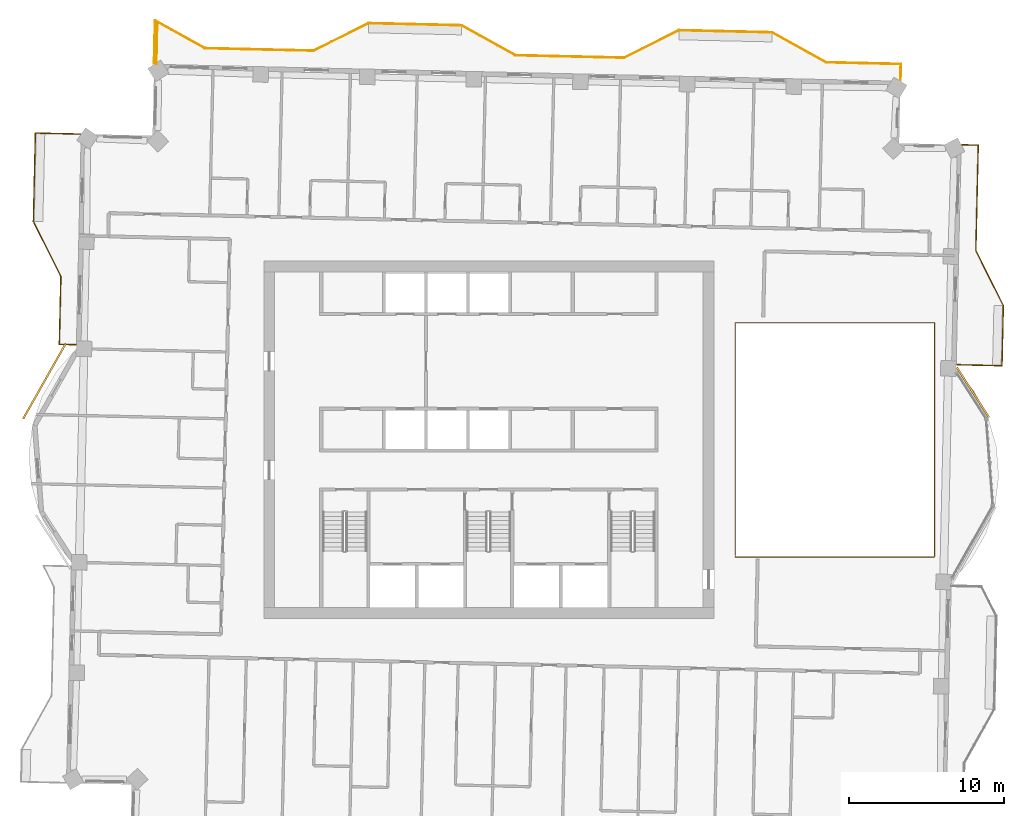
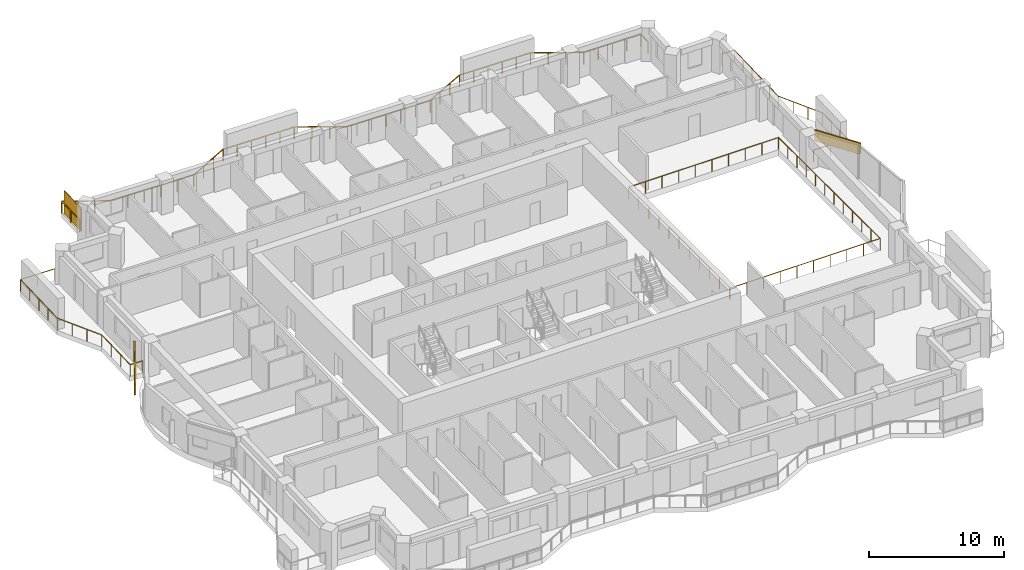
# One storey, part 17 of 17: 4 railings, 2 coverings, 1 shading device.
"""IFC4 building model written with IfcOpenShell, lengths in metres."""

from ifc_helpers import new_model, si_unit, direction, frame, frame_2d, origin, origin_2d, place, context, subcontext, project, spatial, rectangle, extrude, material, layer, layer_set, type_object, element, save


model = new_model("IFC4")

# Units and contexts
model_context = context("Model", 3, precision=1e-05, world=origin(), true_north=direction((0.0, 1.0)))
body_context = subcontext(model_context, "Body", "Model", "MODEL_VIEW")
ifc_project = project(units=[si_unit("LENGTHUNIT", "METRE"), si_unit("AREAUNIT", "SQUARE_METRE"), si_unit("VOLUMEUNIT", "CUBIC_METRE"), si_unit("PLANEANGLEUNIT", "RADIAN"), si_unit("MASSUNIT", "GRAM", prefix="KILO")], contexts=[model_context])

# Site, building, storey
site_placement = place(None, origin())
site = spatial("IfcSite", under=ifc_project, at=site_placement, CompositionType="ELEMENT")
building_placement = place(site_placement, origin())
building = spatial("IfcBuilding", under=site, at=building_placement, Name="Mangrove Gate Tower", CompositionType="ELEMENT")
storey_placement = place(building_placement, frame((0.0, 0.0, 271.699951171875)))
storey = spatial("IfcBuildingStorey", under=building, at=storey_placement, Name="L69", CompositionType="ELEMENT", Elevation=271.699951171875)

# Railings
ifc_material_1 = material(Name="Stainless steel grade 316 with laminated glass infill", Category="steel")
railing_type = type_object("IfcRailingType", Name="Balcony guard 1100", PredefinedType="GUARDRAIL", material=ifc_material_1)
railing_1_placement = place(storey_placement, frame((30.1298828125, 4.830078125, 0.0)))
element("IfcRailing", 1, at=railing_1_placement, inside=storey, type_object=railing_type, Name="GUARD L69 E2", PredefinedType="GUARDRAIL", context=body_context, shape_type="SweptSolid", body=[
    extrude(rectangle(XDim=0.048095703125, YDim=0.048095703125, at=origin_2d()), frame((0.0, 0.0, 1.076171875), z_axis=(0.999741662318, -0.022729026048, 0.0), x_axis=(0.022729026048, 0.999741662318, 0.0)), (0.0, 0.0, 1.0), 2.910888671875),
    extrude(rectangle(XDim=0.048095703125, YDim=0.048095703125, at=origin_2d()), frame((2.91015625, -0.066162109375, 1.076171875), z_axis=(0.022435098042, 0.999748301512, 0.0), x_axis=(-0.999748301512, 0.022435098042, 0.0)), (0.0, 0.0, 1.0), 3.8740234375),
    extrude(rectangle(XDim=0.048095703125, YDim=0.048095703125, at=origin_2d()), frame((2.9970703125, 3.806884765625, 1.076171875), z_axis=(-0.447016280881, 0.894525821107, 0.0), x_axis=(-0.894525821107, -0.447016280881, 0.0)), (0.0, 0.0, 1.0), 3.959716796875),
    extrude(rectangle(XDim=0.048095703125, YDim=0.048095703125, at=origin_2d()), frame((1.22705078125, 7.348876953125, 1.076171875), z_axis=(0.022798884737, 0.999740071646, 0.0), x_axis=(-0.999740071646, 0.022798884737, 0.0)), (0.0, 0.0, 1.0), 6.7998046875),
    extrude(rectangle(XDim=0.048095703125, YDim=0.048095703125, at=origin_2d()), frame((1.382080078125, 14.14697265625, 1.076171875), z_axis=(-0.999745389313, 0.022564497502, 0.0), x_axis=(-0.022564497502, -0.999745389313, 0.0)), (0.0, 0.0, 1.0), 1.060302734375),
    extrude(rectangle(XDim=0.0419921875, YDim=0.0419921875, at=origin_2d()), origin(), (0.0, 0.0, 1.0), 1.052001953125),
    extrude(rectangle(XDim=0.0419921875, YDim=0.0419921875, at=origin_2d()), frame((1.455078125, -0.033203125, 0.0)), (0.0, 0.0, 1.0), 1.052001953125),
    extrude(rectangle(XDim=0.0419921875, YDim=0.0419921875, at=origin_2d()), frame((2.91015625, -0.066162109375, 0.0)), (0.0, 0.0, 1.0), 1.052001953125),
    extrude(rectangle(XDim=0.0419921875, YDim=0.0419921875, at=origin_2d()), frame((2.939208984375, 1.224853515625, 0.0)), (0.0, 0.0, 1.0), 1.052001953125),
    extrude(rectangle(XDim=0.0419921875, YDim=0.0419921875, at=origin_2d()), frame((2.968017578125, 2.515869140625, 0.0)), (0.0, 0.0, 1.0), 1.052001953125),
    extrude(rectangle(XDim=0.0419921875, YDim=0.0419921875, at=origin_2d()), frame((2.9970703125, 3.806884765625, 0.0)), (0.0, 0.0, 1.0), 1.052001953125),
    extrude(rectangle(XDim=0.0419921875, YDim=0.0419921875, at=origin_2d()), frame((2.406982421875, 4.987548828125, 0.0)), (0.0, 0.0, 1.0), 1.052001953125),
    extrude(rectangle(XDim=0.0419921875, YDim=0.0419921875, at=origin_2d()), frame((1.817138671875, 6.168212890625, 0.0)), (0.0, 0.0, 1.0), 1.052001953125),
    extrude(rectangle(XDim=0.0419921875, YDim=0.0419921875, at=origin_2d()), frame((1.22705078125, 7.348876953125, 0.0)), (0.0, 0.0, 1.0), 1.052001953125),
    extrude(rectangle(XDim=0.0419921875, YDim=0.0419921875, at=origin_2d()), frame((1.258056640625, 8.70849609375, 0.0)), (0.0, 0.0, 1.0), 1.052001953125),
    extrude(rectangle(XDim=0.0419921875, YDim=0.0419921875, at=origin_2d()), frame((1.2890625, 10.068115234375, 0.0)), (0.0, 0.0, 1.0), 1.052001953125),
    extrude(rectangle(XDim=0.0419921875, YDim=0.0419921875, at=origin_2d()), frame((1.320068359375, 11.427734375, 0.0)), (0.0, 0.0, 1.0), 1.052001953125),
    extrude(rectangle(XDim=0.0419921875, YDim=0.0419921875, at=origin_2d()), frame((1.35107421875, 12.787353515625, 0.0)), (0.0, 0.0, 1.0), 1.052001953125),
    extrude(rectangle(XDim=0.0419921875, YDim=0.0419921875, at=origin_2d()), frame((1.382080078125, 14.14697265625, 0.0)), (0.0, 0.0, 1.0), 1.052001953125),
    extrude(rectangle(XDim=0.0419921875, YDim=0.0419921875, at=origin_2d()), frame((0.322021484375, 14.1708984375, 0.0)), (0.0, 0.0, 1.0), 1.052001953125),
])
railing_2_placement = place(storey_placement, frame((26.5048828125, 23.131103515625, 0.0)))
element("IfcRailing", 2, at=railing_2_placement, inside=storey, type_object=railing_type, Name="GUARD L69 N1", PredefinedType="GUARDRAIL", context=body_context, shape_type="SweptSolid", body=[
    extrude(rectangle(XDim=0.048095703125, YDim=0.048095703125, at=origin_2d()), frame((0.0, 0.0, 1.076171875), z_axis=(0.022799876723, 0.999740049023, 0.0), x_axis=(-0.999740049023, 0.022799876723, 0.0)), (0.0, 0.0, 1.0), 1.06005859375),
    extrude(rectangle(XDim=0.048095703125, YDim=0.048095703125, at=origin_2d()), frame((0.024169921875, 1.059814453125, 1.076171875), z_axis=(-0.99974079202, 0.022767274147, 0.0), x_axis=(-0.022767274147, -0.99974079202, 0.0)), (0.0, 0.0, 1.0), 4.836181640625),
    extrude(rectangle(XDim=0.048095703125, YDim=0.048095703125, at=origin_2d()), frame((-4.810791015625, 1.169921875, 1.076171875), z_axis=(-0.87325689943, 0.48726008209, 0.0), x_axis=(-0.48726008209, -0.87325689943, 0.0)), (0.0, 0.0, 1.0), 3.958740234375),
    extrude(rectangle(XDim=0.048095703125, YDim=0.048095703125, at=origin_2d()), frame((-8.267822265625, 3.098876953125, 1.076171875), z_axis=(-0.999743178102, 0.022662255828, 0.0), x_axis=(-0.022662255828, -0.999743178102, 0.0)), (0.0, 0.0, 1.0), 6.00048828125),
    extrude(rectangle(XDim=0.048095703125, YDim=0.048095703125, at=origin_2d()), frame((-14.266845703125, 3.23486328125, 1.076171875), z_axis=(-0.894476522376, -0.447114919141, 0.0), x_axis=(0.447114919141, -0.894476522376, 0.0)), (0.0, 0.0, 1.0), 3.958740234375),
    extrude(rectangle(XDim=0.048095703125, YDim=0.048095703125, at=origin_2d()), frame((-17.807861328125, 1.46484375, 1.076171875), z_axis=(-0.999744491972, 0.022604220207, 0.0), x_axis=(-0.022604220207, -0.999744491972, 0.0)), (0.0, 0.0, 1.0), 6.199462890625),
    extrude(rectangle(XDim=0.048095703125, YDim=0.048095703125, at=origin_2d()), frame((-24.005859375, 1.60498046875, 1.076171875), z_axis=(-0.999724057381, 0.023490617155, 0.0), x_axis=(-0.023490617155, -0.999724057381, 0.0)), (0.0, 0.0, 1.0), 0.80029296875),
    extrude(rectangle(XDim=0.048095703125, YDim=0.048095703125, at=origin_2d()), frame((-24.805908203125, 1.623779296875, 1.076171875), z_axis=(-0.873335618354, 0.48711897696, 0.0), x_axis=(-0.48711897696, -0.873335618354, 0.0)), (0.0, 0.0, 1.0), 3.95849609375),
    extrude(rectangle(XDim=0.048095703125, YDim=0.048095703125, at=origin_2d()), frame((-28.262939453125, 3.552001953125, 1.076171875), z_axis=(-0.999739477659, 0.022824916448, 0.0), x_axis=(-0.022824916448, -0.999739477659, 0.0)), (0.0, 0.0, 1.0), 6.00048828125),
    extrude(rectangle(XDim=0.048095703125, YDim=0.048095703125, at=origin_2d()), frame((-34.261962890625, 3.68896484375, 1.076171875), z_axis=(-0.894377854182, -0.447312255532, 0.0), x_axis=(0.447312255532, -0.894377854182, 0.0)), (0.0, 0.0, 1.0), 3.959228515625),
    extrude(rectangle(XDim=0.048095703125, YDim=0.048095703125, at=origin_2d()), frame((-37.802978515625, 1.91796875, 1.076171875), z_axis=(-0.999742177561, 0.022706351659, 0.0), x_axis=(-0.022706351659, -0.999742177561, 0.0)), (0.0, 0.0, 1.0), 6.99951171875),
    extrude(rectangle(XDim=0.048095703125, YDim=0.048095703125, at=origin_2d()), frame((-44.80078125, 2.076904296875, 1.076171875), z_axis=(-0.873186479465, 0.487386265789, 0.0), x_axis=(-0.487386265789, -0.873186479465, 0.0)), (0.0, 0.0, 1.0), 3.66015625),
    extrude(rectangle(XDim=0.048095703125, YDim=0.048095703125, at=origin_2d()), frame((-47.996826171875, 3.86083984375, 1.076171875), z_axis=(-0.022733414695, -0.999741562533, 0.0), x_axis=(0.999741562533, -0.022733414695, 0.0)), (0.0, 0.0, 1.0), 2.770751953125),
    extrude(rectangle(XDim=0.0419921875, YDim=0.0419921875, at=origin_2d()), origin(), (0.0, 0.0, 1.0), 1.052001953125),
    extrude(rectangle(XDim=0.0419921875, YDim=0.0419921875, at=origin_2d()), frame((0.024169921875, 1.059814453125, 0.0)), (0.0, 0.0, 1.0), 1.052001953125),
    extrude(rectangle(XDim=0.0419921875, YDim=0.0419921875, at=origin_2d()), frame((-1.1845703125, 1.08740234375, 0.0)), (0.0, 0.0, 1.0), 1.052001953125),
    extrude(rectangle(XDim=0.0419921875, YDim=0.0419921875, at=origin_2d()), frame((-2.393310546875, 1.11474609375, 0.0)), (0.0, 0.0, 1.0), 1.052001953125),
    extrude(rectangle(XDim=0.0419921875, YDim=0.0419921875, at=origin_2d()), frame((-3.60205078125, 1.142333984375, 0.0)), (0.0, 0.0, 1.0), 1.052001953125),
    extrude(rectangle(XDim=0.0419921875, YDim=0.0419921875, at=origin_2d()), frame((-4.810791015625, 1.169921875, 0.0)), (0.0, 0.0, 1.0), 1.052001953125),
    extrude(rectangle(XDim=0.0419921875, YDim=0.0419921875, at=origin_2d()), frame((-5.963134765625, 1.81298828125, 0.0)), (0.0, 0.0, 1.0), 1.052001953125),
    extrude(rectangle(XDim=0.0419921875, YDim=0.0419921875, at=origin_2d()), frame((-7.115478515625, 2.455810546875, 0.0)), (0.0, 0.0, 1.0), 1.052001953125),
    extrude(rectangle(XDim=0.0419921875, YDim=0.0419921875, at=origin_2d()), frame((-8.267822265625, 3.098876953125, 0.0)), (0.0, 0.0, 1.0), 1.052001953125),
    extrude(rectangle(XDim=0.0419921875, YDim=0.0419921875, at=origin_2d()), frame((-9.467529296875, 3.1259765625, 0.0)), (0.0, 0.0, 1.0), 1.052001953125),
    extrude(rectangle(XDim=0.0419921875, YDim=0.0419921875, at=origin_2d()), frame((-10.66748046875, 3.1533203125, 0.0)), (0.0, 0.0, 1.0), 1.052001953125),
    extrude(rectangle(XDim=0.0419921875, YDim=0.0419921875, at=origin_2d()), frame((-11.8671875, 3.180419921875, 0.0)), (0.0, 0.0, 1.0), 1.052001953125),
    extrude(rectangle(XDim=0.0419921875, YDim=0.0419921875, at=origin_2d()), frame((-13.067138671875, 3.207763671875, 0.0)), (0.0, 0.0, 1.0), 1.052001953125),
    extrude(rectangle(XDim=0.0419921875, YDim=0.0419921875, at=origin_2d()), frame((-14.266845703125, 3.23486328125, 0.0)), (0.0, 0.0, 1.0), 1.052001953125),
    extrude(rectangle(XDim=0.0419921875, YDim=0.0419921875, at=origin_2d()), frame((-15.447265625, 2.644775390625, 0.0)), (0.0, 0.0, 1.0), 1.052001953125),
    extrude(rectangle(XDim=0.0419921875, YDim=0.0419921875, at=origin_2d()), frame((-16.62744140625, 2.054931640625, 0.0)), (0.0, 0.0, 1.0), 1.052001953125),
    extrude(rectangle(XDim=0.0419921875, YDim=0.0419921875, at=origin_2d()), frame((-17.807861328125, 1.46484375, 0.0)), (0.0, 0.0, 1.0), 1.052001953125),
    extrude(rectangle(XDim=0.0419921875, YDim=0.0419921875, at=origin_2d()), frame((-19.04736328125, 1.492919921875, 0.0)), (0.0, 0.0, 1.0), 1.052001953125),
    extrude(rectangle(XDim=0.0419921875, YDim=0.0419921875, at=origin_2d()), frame((-20.287109375, 1.52099609375, 0.0)), (0.0, 0.0, 1.0), 1.052001953125),
    extrude(rectangle(XDim=0.0419921875, YDim=0.0419921875, at=origin_2d()), frame((-21.526611328125, 1.548828125, 0.0)), (0.0, 0.0, 1.0), 1.052001953125),
    extrude(rectangle(XDim=0.0419921875, YDim=0.0419921875, at=origin_2d()), frame((-22.766357421875, 1.576904296875, 0.0)), (0.0, 0.0, 1.0), 1.052001953125),
    extrude(rectangle(XDim=0.0419921875, YDim=0.0419921875, at=origin_2d()), frame((-24.005859375, 1.60498046875, 0.0)), (0.0, 0.0, 1.0), 1.052001953125),
    extrude(rectangle(XDim=0.0419921875, YDim=0.0419921875, at=origin_2d()), frame((-24.805908203125, 1.623779296875, 0.0)), (0.0, 0.0, 1.0), 1.052001953125),
    extrude(rectangle(XDim=0.0419921875, YDim=0.0419921875, at=origin_2d()), frame((-25.958251953125, 2.2666015625, 0.0)), (0.0, 0.0, 1.0), 1.052001953125),
    extrude(rectangle(XDim=0.0419921875, YDim=0.0419921875, at=origin_2d()), frame((-27.110595703125, 2.9091796875, 0.0)), (0.0, 0.0, 1.0), 1.052001953125),
    extrude(rectangle(XDim=0.0419921875, YDim=0.0419921875, at=origin_2d()), frame((-28.262939453125, 3.552001953125, 0.0)), (0.0, 0.0, 1.0), 1.052001953125),
    extrude(rectangle(XDim=0.0419921875, YDim=0.0419921875, at=origin_2d()), frame((-29.462646484375, 3.579345703125, 0.0)), (0.0, 0.0, 1.0), 1.052001953125),
    extrude(rectangle(XDim=0.0419921875, YDim=0.0419921875, at=origin_2d()), frame((-30.66259765625, 3.606689453125, 0.0)), (0.0, 0.0, 1.0), 1.052001953125),
    extrude(rectangle(XDim=0.0419921875, YDim=0.0419921875, at=origin_2d()), frame((-31.8623046875, 3.63427734375, 0.0)), (0.0, 0.0, 1.0), 1.052001953125),
    extrude(rectangle(XDim=0.0419921875, YDim=0.0419921875, at=origin_2d()), frame((-33.062255859375, 3.66162109375, 0.0)), (0.0, 0.0, 1.0), 1.052001953125),
    extrude(rectangle(XDim=0.0419921875, YDim=0.0419921875, at=origin_2d()), frame((-34.261962890625, 3.68896484375, 0.0)), (0.0, 0.0, 1.0), 1.052001953125),
    extrude(rectangle(XDim=0.0419921875, YDim=0.0419921875, at=origin_2d()), frame((-35.4423828125, 3.0986328125, 0.0)), (0.0, 0.0, 1.0), 1.052001953125),
    extrude(rectangle(XDim=0.0419921875, YDim=0.0419921875, at=origin_2d()), frame((-36.62255859375, 2.50830078125, 0.0)), (0.0, 0.0, 1.0), 1.052001953125),
    extrude(rectangle(XDim=0.0419921875, YDim=0.0419921875, at=origin_2d()), frame((-37.802978515625, 1.91796875, 0.0)), (0.0, 0.0, 1.0), 1.052001953125),
    extrude(rectangle(XDim=0.0419921875, YDim=0.0419921875, at=origin_2d()), frame((-39.20263671875, 1.94970703125, 0.0)), (0.0, 0.0, 1.0), 1.052001953125),
    extrude(rectangle(XDim=0.0419921875, YDim=0.0419921875, at=origin_2d()), frame((-40.60205078125, 1.9814453125, 0.0)), (0.0, 0.0, 1.0), 1.052001953125),
    extrude(rectangle(XDim=0.0419921875, YDim=0.0419921875, at=origin_2d()), frame((-42.001708984375, 2.013427734375, 0.0)), (0.0, 0.0, 1.0), 1.052001953125),
    extrude(rectangle(XDim=0.0419921875, YDim=0.0419921875, at=origin_2d()), frame((-43.401123046875, 2.045166015625, 0.0)), (0.0, 0.0, 1.0), 1.052001953125),
    extrude(rectangle(XDim=0.0419921875, YDim=0.0419921875, at=origin_2d()), frame((-44.80078125, 2.076904296875, 0.0)), (0.0, 0.0, 1.0), 1.052001953125),
    extrude(rectangle(XDim=0.0419921875, YDim=0.0419921875, at=origin_2d()), frame((-45.8662109375, 2.671630859375, 0.0)), (0.0, 0.0, 1.0), 1.052001953125),
    extrude(rectangle(XDim=0.0419921875, YDim=0.0419921875, at=origin_2d()), frame((-46.931396484375, 3.26611328125, 0.0)), (0.0, 0.0, 1.0), 1.052001953125),
    extrude(rectangle(XDim=0.0419921875, YDim=0.0419921875, at=origin_2d()), frame((-47.996826171875, 3.86083984375, 0.0)), (0.0, 0.0, 1.0), 1.052001953125),
    extrude(rectangle(XDim=0.0419921875, YDim=0.0419921875, at=origin_2d()), frame((-48.0283203125, 2.475830078125, 0.0)), (0.0, 0.0, 1.0), 1.052001953125),
    extrude(rectangle(XDim=0.0419921875, YDim=0.0419921875, at=origin_2d()), frame((-48.059814453125, 1.0908203125, 0.0)), (0.0, 0.0, 1.0), 1.052001953125),
])
railing_3_placement = place(storey_placement, frame((-26.299072265625, 19.68896484375, 0.0)))
element("IfcRailing", 3, at=railing_3_placement, inside=storey, type_object=railing_type, Name="GUARD L69 W1", PredefinedType="GUARDRAIL", context=body_context, shape_type="SweptSolid", body=[
    extrude(rectangle(XDim=0.048095703125, YDim=0.048095703125, at=origin_2d()), frame((0.0, 0.0, 1.076171875), z_axis=(-0.999750894749, 0.022319239446, 0.0), x_axis=(-0.022319239446, -0.999750894749, 0.0)), (0.0, 0.0, 1.0), 2.90966796875),
    extrude(rectangle(XDim=0.048095703125, YDim=0.048095703125, at=origin_2d()), frame((-2.908935546875, 0.06494140625, 1.076171875), z_axis=(-0.022788544648, -0.999740307396, 0.0), x_axis=(0.999740307396, -0.022788544648, 0.0)), (0.0, 0.0, 1.0), 5.699462890625),
    extrude(rectangle(XDim=0.048095703125, YDim=0.048095703125, at=origin_2d()), frame((-3.038818359375, -5.633056640625, 1.076171875), z_axis=(0.447065574839, -0.894501186021, 0.0), x_axis=(0.894501186021, 0.447065574839, 0.0)), (0.0, 0.0, 1.0), 3.958740234375),
    extrude(rectangle(XDim=0.048095703125, YDim=0.048095703125, at=origin_2d()), frame((-1.26904296875, -9.174072265625, 1.076171875), z_axis=(-0.022600979566, -0.999744565238, 0.0), x_axis=(0.999744565238, -0.022600979566, 0.0)), (0.0, 0.0, 1.0), 4.375),
    extrude(rectangle(XDim=0.048095703125, YDim=0.048095703125, at=origin_2d()), frame((-1.367919921875, -13.5478515625, 1.076171875), z_axis=(0.999740168701, -0.022794628443, 0.0), x_axis=(0.022794628443, 0.999740168701, 0.0)), (0.0, 0.0, 1.0), 1.060302734375),
    extrude(rectangle(XDim=0.0419921875, YDim=0.0419921875, at=origin_2d()), origin(), (0.0, 0.0, 1.0), 1.052001953125),
    extrude(rectangle(XDim=0.0419921875, YDim=0.0419921875, at=origin_2d()), frame((-1.45458984375, 0.032470703125, 0.0)), (0.0, 0.0, 1.0), 1.052001953125),
    extrude(rectangle(XDim=0.0419921875, YDim=0.0419921875, at=origin_2d()), frame((-2.908935546875, 0.06494140625, 0.0)), (0.0, 0.0, 1.0), 1.052001953125),
    extrude(rectangle(XDim=0.0419921875, YDim=0.0419921875, at=origin_2d()), frame((-2.94140625, -1.359619140625, 0.0)), (0.0, 0.0, 1.0), 1.052001953125),
    extrude(rectangle(XDim=0.0419921875, YDim=0.0419921875, at=origin_2d()), frame((-2.973876953125, -2.7841796875, 0.0)), (0.0, 0.0, 1.0), 1.052001953125),
    extrude(rectangle(XDim=0.0419921875, YDim=0.0419921875, at=origin_2d()), frame((-3.00634765625, -4.20849609375, 0.0)), (0.0, 0.0, 1.0), 1.052001953125),
    extrude(rectangle(XDim=0.0419921875, YDim=0.0419921875, at=origin_2d()), frame((-3.038818359375, -5.633056640625, 0.0)), (0.0, 0.0, 1.0), 1.052001953125),
    extrude(rectangle(XDim=0.0419921875, YDim=0.0419921875, at=origin_2d()), frame((-2.448974609375, -6.8134765625, 0.0)), (0.0, 0.0, 1.0), 1.052001953125),
    extrude(rectangle(XDim=0.0419921875, YDim=0.0419921875, at=origin_2d()), frame((-1.85888671875, -7.99365234375, 0.0)), (0.0, 0.0, 1.0), 1.052001953125),
    extrude(rectangle(XDim=0.0419921875, YDim=0.0419921875, at=origin_2d()), frame((-1.26904296875, -9.174072265625, 0.0)), (0.0, 0.0, 1.0), 1.052001953125),
    extrude(rectangle(XDim=0.0419921875, YDim=0.0419921875, at=origin_2d()), frame((-1.302001953125, -10.632080078125, 0.0)), (0.0, 0.0, 1.0), 1.052001953125),
    extrude(rectangle(XDim=0.0419921875, YDim=0.0419921875, at=origin_2d()), frame((-1.3349609375, -12.08984375, 0.0)), (0.0, 0.0, 1.0), 1.052001953125),
    extrude(rectangle(XDim=0.0419921875, YDim=0.0419921875, at=origin_2d()), frame((-1.367919921875, -13.5478515625, 0.0)), (0.0, 0.0, 1.0), 1.052001953125),
    extrude(rectangle(XDim=0.0419921875, YDim=0.0419921875, at=origin_2d()), frame((-0.307861328125, -13.572021484375, 0.0)), (0.0, 0.0, 1.0), 1.052001953125),
])
railing_4_placement = place(storey_placement, frame((15.860107421875, -7.5400390625, 0.0)))
element("IfcRailing", 4, at=railing_4_placement, inside=storey, type_object=railing_type, Name="GUARD L69 atrium", PredefinedType="GUARDRAIL", context=body_context, shape_type="SweptSolid", body=[
    extrude(rectangle(XDim=0.048095703125, YDim=0.048095703125, at=origin_2d()), frame((0.0, 0.0, 1.076171875), z_axis=(1.0, 0.0, 0.0), x_axis=(0.0, 1.0, 0.0)), (0.0, 0.0, 1.0), 12.8388671875),
    extrude(rectangle(XDim=0.048095703125, YDim=0.048095703125, at=origin_2d()), frame((12.8388671875, 0.0, 1.076171875), z_axis=(0.0, 1.0, 0.0), x_axis=(-1.0, 0.0, 0.0)), (0.0, 0.0, 1.0), 15.080078125),
    extrude(rectangle(XDim=0.048095703125, YDim=0.048095703125, at=origin_2d()), frame((12.8388671875, 15.080078125, 1.076171875), z_axis=(-1.0, 0.0, 0.0), x_axis=(0.0, -1.0, 0.0)), (0.0, 0.0, 1.0), 12.8388671875),
    extrude(rectangle(XDim=0.048095703125, YDim=0.048095703125, at=origin_2d()), frame((0.0, 15.080078125, 1.076171875), z_axis=(0.0, -1.0, 0.0), x_axis=(1.0, 0.0, 0.0)), (0.0, 0.0, 1.0), 14.9599609375),
    extrude(rectangle(XDim=0.0419921875, YDim=0.0419921875, at=origin_2d()), origin(), (0.0, 0.0, 1.0), 1.052001953125),
    extrude(rectangle(XDim=0.0419921875, YDim=0.0419921875, at=origin_2d()), frame((1.426513671875, 0.0, 0.0)), (0.0, 0.0, 1.0), 1.052001953125),
    extrude(rectangle(XDim=0.0419921875, YDim=0.0419921875, at=origin_2d()), frame((2.85302734375, 0.0, 0.0)), (0.0, 0.0, 1.0), 1.052001953125),
    extrude(rectangle(XDim=0.0419921875, YDim=0.0419921875, at=origin_2d()), frame((4.279541015625, 0.0, 0.0)), (0.0, 0.0, 1.0), 1.052001953125),
    extrude(rectangle(XDim=0.0419921875, YDim=0.0419921875, at=origin_2d()), frame((5.7060546875, 0.0, 0.0)), (0.0, 0.0, 1.0), 1.052001953125),
    extrude(rectangle(XDim=0.0419921875, YDim=0.0419921875, at=origin_2d()), frame((7.1328125, 0.0, 0.0)), (0.0, 0.0, 1.0), 1.052001953125),
    extrude(rectangle(XDim=0.0419921875, YDim=0.0419921875, at=origin_2d()), frame((8.559326171875, 0.0, 0.0)), (0.0, 0.0, 1.0), 1.052001953125),
    extrude(rectangle(XDim=0.0419921875, YDim=0.0419921875, at=origin_2d()), frame((9.98583984375, 0.0, 0.0)), (0.0, 0.0, 1.0), 1.052001953125),
    extrude(rectangle(XDim=0.0419921875, YDim=0.0419921875, at=origin_2d()), frame((11.412353515625, 0.0, 0.0)), (0.0, 0.0, 1.0), 1.052001953125),
    extrude(rectangle(XDim=0.0419921875, YDim=0.0419921875, at=origin_2d()), frame((12.8388671875, 0.0, 0.0)), (0.0, 0.0, 1.0), 1.052001953125),
    extrude(rectangle(XDim=0.0419921875, YDim=0.0419921875, at=origin_2d()), frame((12.8388671875, 1.370849609375, 0.0)), (0.0, 0.0, 1.0), 1.052001953125),
    extrude(rectangle(XDim=0.0419921875, YDim=0.0419921875, at=origin_2d()), frame((12.8388671875, 2.741943359375, 0.0)), (0.0, 0.0, 1.0), 1.052001953125),
    extrude(rectangle(XDim=0.0419921875, YDim=0.0419921875, at=origin_2d()), frame((12.8388671875, 4.11279296875, 0.0)), (0.0, 0.0, 1.0), 1.052001953125),
    extrude(rectangle(XDim=0.0419921875, YDim=0.0419921875, at=origin_2d()), frame((12.8388671875, 5.483642578125, 0.0)), (0.0, 0.0, 1.0), 1.052001953125),
    extrude(rectangle(XDim=0.0419921875, YDim=0.0419921875, at=origin_2d()), frame((12.8388671875, 6.8544921875, 0.0)), (0.0, 0.0, 1.0), 1.052001953125),
    extrude(rectangle(XDim=0.0419921875, YDim=0.0419921875, at=origin_2d()), frame((12.8388671875, 8.2255859375, 0.0)), (0.0, 0.0, 1.0), 1.052001953125),
    extrude(rectangle(XDim=0.0419921875, YDim=0.0419921875, at=origin_2d()), frame((12.8388671875, 9.596435546875, 0.0)), (0.0, 0.0, 1.0), 1.052001953125),
    extrude(rectangle(XDim=0.0419921875, YDim=0.0419921875, at=origin_2d()), frame((12.8388671875, 10.96728515625, 0.0)), (0.0, 0.0, 1.0), 1.052001953125),
    extrude(rectangle(XDim=0.0419921875, YDim=0.0419921875, at=origin_2d()), frame((12.8388671875, 12.338134765625, 0.0)), (0.0, 0.0, 1.0), 1.052001953125),
    extrude(rectangle(XDim=0.0419921875, YDim=0.0419921875, at=origin_2d()), frame((12.8388671875, 13.709228515625, 0.0)), (0.0, 0.0, 1.0), 1.052001953125),
    extrude(rectangle(XDim=0.0419921875, YDim=0.0419921875, at=origin_2d()), frame((12.8388671875, 15.080078125, 0.0)), (0.0, 0.0, 1.0), 1.052001953125),
    extrude(rectangle(XDim=0.0419921875, YDim=0.0419921875, at=origin_2d()), frame((11.412353515625, 15.080078125, 0.0)), (0.0, 0.0, 1.0), 1.052001953125),
    extrude(rectangle(XDim=0.0419921875, YDim=0.0419921875, at=origin_2d()), frame((9.98583984375, 15.080078125, 0.0)), (0.0, 0.0, 1.0), 1.052001953125),
    extrude(rectangle(XDim=0.0419921875, YDim=0.0419921875, at=origin_2d()), frame((8.559326171875, 15.080078125, 0.0)), (0.0, 0.0, 1.0), 1.052001953125),
    extrude(rectangle(XDim=0.0419921875, YDim=0.0419921875, at=origin_2d()), frame((7.1328125, 15.080078125, 0.0)), (0.0, 0.0, 1.0), 1.052001953125),
    extrude(rectangle(XDim=0.0419921875, YDim=0.0419921875, at=origin_2d()), frame((5.7060546875, 15.080078125, 0.0)), (0.0, 0.0, 1.0), 1.052001953125),
    extrude(rectangle(XDim=0.0419921875, YDim=0.0419921875, at=origin_2d()), frame((4.279541015625, 15.080078125, 0.0)), (0.0, 0.0, 1.0), 1.052001953125),
    extrude(rectangle(XDim=0.0419921875, YDim=0.0419921875, at=origin_2d()), frame((2.85302734375, 15.080078125, 0.0)), (0.0, 0.0, 1.0), 1.052001953125),
    extrude(rectangle(XDim=0.0419921875, YDim=0.0419921875, at=origin_2d()), frame((1.426513671875, 15.080078125, 0.0)), (0.0, 0.0, 1.0), 1.052001953125),
    extrude(rectangle(XDim=0.0419921875, YDim=0.0419921875, at=origin_2d()), frame((0.0, 15.080078125, 0.0)), (0.0, 0.0, 1.0), 1.052001953125),
    extrude(rectangle(XDim=0.0419921875, YDim=0.0419921875, at=origin_2d()), frame((0.0, 13.583984375, 0.0)), (0.0, 0.0, 1.0), 1.052001953125),
    extrude(rectangle(XDim=0.0419921875, YDim=0.0419921875, at=origin_2d()), frame((0.0, 12.088134765625, 0.0)), (0.0, 0.0, 1.0), 1.052001953125),
    extrude(rectangle(XDim=0.0419921875, YDim=0.0419921875, at=origin_2d()), frame((0.0, 10.592041015625, 0.0)), (0.0, 0.0, 1.0), 1.052001953125),
    extrude(rectangle(XDim=0.0419921875, YDim=0.0419921875, at=origin_2d()), frame((0.0, 9.09619140625, 0.0)), (0.0, 0.0, 1.0), 1.052001953125),
    extrude(rectangle(XDim=0.0419921875, YDim=0.0419921875, at=origin_2d()), frame((0.0, 7.60009765625, 0.0)), (0.0, 0.0, 1.0), 1.052001953125),
    extrude(rectangle(XDim=0.0419921875, YDim=0.0419921875, at=origin_2d()), frame((0.0, 6.10400390625, 0.0)), (0.0, 0.0, 1.0), 1.052001953125),
    extrude(rectangle(XDim=0.0419921875, YDim=0.0419921875, at=origin_2d()), frame((0.0, 4.608154296875, 0.0)), (0.0, 0.0, 1.0), 1.052001953125),
    extrude(rectangle(XDim=0.0419921875, YDim=0.0419921875, at=origin_2d()), frame((0.0, 3.112060546875, 0.0)), (0.0, 0.0, 1.0), 1.052001953125),
    extrude(rectangle(XDim=0.0419921875, YDim=0.0419921875, at=origin_2d()), frame((0.0, 1.6162109375, 0.0)), (0.0, 0.0, 1.0), 1.052001953125),
    extrude(rectangle(XDim=0.0419921875, YDim=0.0419921875, at=origin_2d()), frame((0.0, 0.1201171875, 0.0)), (0.0, 0.0, 1.0), 1.052001953125),
])

# Shading device
ifc_material_2 = material(Name="Timber slat screen in teak", Category="wood")
shading_device_type = type_object("IfcShadingDeviceType", Name="Balcony screen 2100", PredefinedType="USERDEFINED", material=ifc_material_2)
shading_device_placement = place(storey_placement, frame((-21.385009765625, 25.52392578125, 0.0), z_axis=(0.0, 0.0, 1.0), x_axis=(0.022809475005, 0.999739830081, 0.0)))
element("IfcShadingDevice", 5, at=shading_device_placement, inside=storey, type_object=shading_device_type, Name="SCREEN L69 N1", ObjectType="SCREEN", PredefinedType="USERDEFINED", context=body_context, shape_type="SweptSolid", body=[
    extrude(rectangle(XDim=2.65087890625, YDim=0.050048828125, at=origin_2d()), origin(), (0.0, 0.0, 1.0), 2.10009765625),
])

# Coverings
ifc_material_3 = material(Name="Limestone", Category="masonry")
ifc_layer_1 = layer(ifc_material_3, 0.0400390625, Name="Limestone cladding")
ifc_material_4 = material(Name="Stainless steel anchors and cavity", Category="steel")
ifc_layer_2 = layer(ifc_material_4, 0.080078125, Name="Fixing cavity")
ifc_layer_set = layer_set([ifc_layer_1, ifc_layer_2], Name="Joint fascia cladding 120")
covering_type = type_object("IfcCoveringType", Name="Joint fascia cladding 120", PredefinedType="CLADDING", material=ifc_layer_set)
covering_1_placement = place(storey_placement, frame((32.195068359375, 1.447021484375, 2.050048828125), z_axis=(0.0, 0.0, 1.0), x_axis=(-0.540602448732, 0.841278189676, 0.0)))
element("IfcCovering", 6, at=covering_1_placement, inside=storey, type_object=covering_type, Name="STONE FASCIA L69 E1.L2", PredefinedType="CLADDING", context=body_context, shape_type="SweptSolid", body=[
    extrude(rectangle(XDim=3.81787109375, YDim=0.1201171875, at=frame_2d((1.908935546875, 0.0))), origin(), (0.0, 0.0, 1.0), 1.0),
])
covering_2_placement = place(storey_placement, frame((-27.25390625, 6.19189453125, 2.050048828125), z_axis=(0.0, 0.0, 1.0), x_axis=(-0.492564380387, -0.870276008617, 0.0)))
element("IfcCovering", 7, at=covering_2_placement, inside=storey, type_object=covering_type, Name="STONE FASCIA L69 W9.L1", PredefinedType="CLADDING", context=body_context, shape_type="SweptSolid", body=[
    extrude(rectangle(XDim=5.567138671875, YDim=0.1201171875, at=frame_2d((2.78369140625, 0.0))), origin(), (0.0, 0.0, 1.0), 1.0),
])

save(model, "model.ifc")
